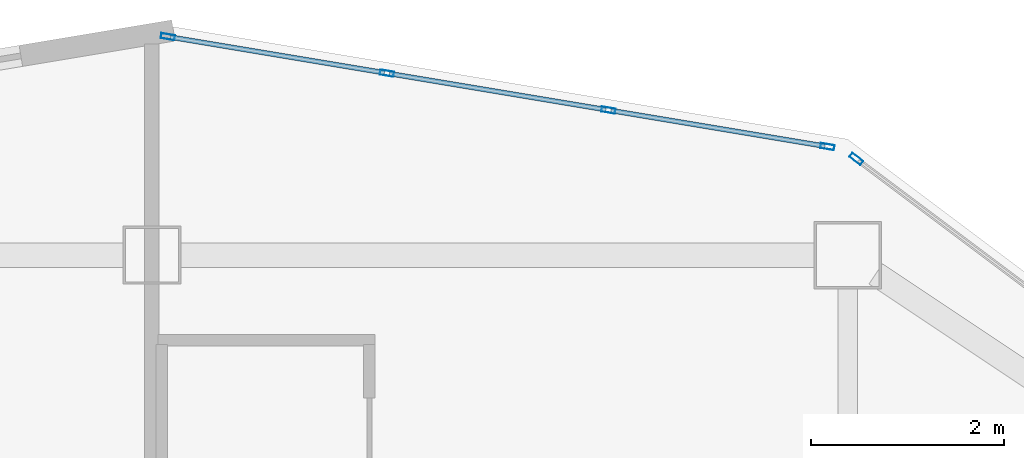
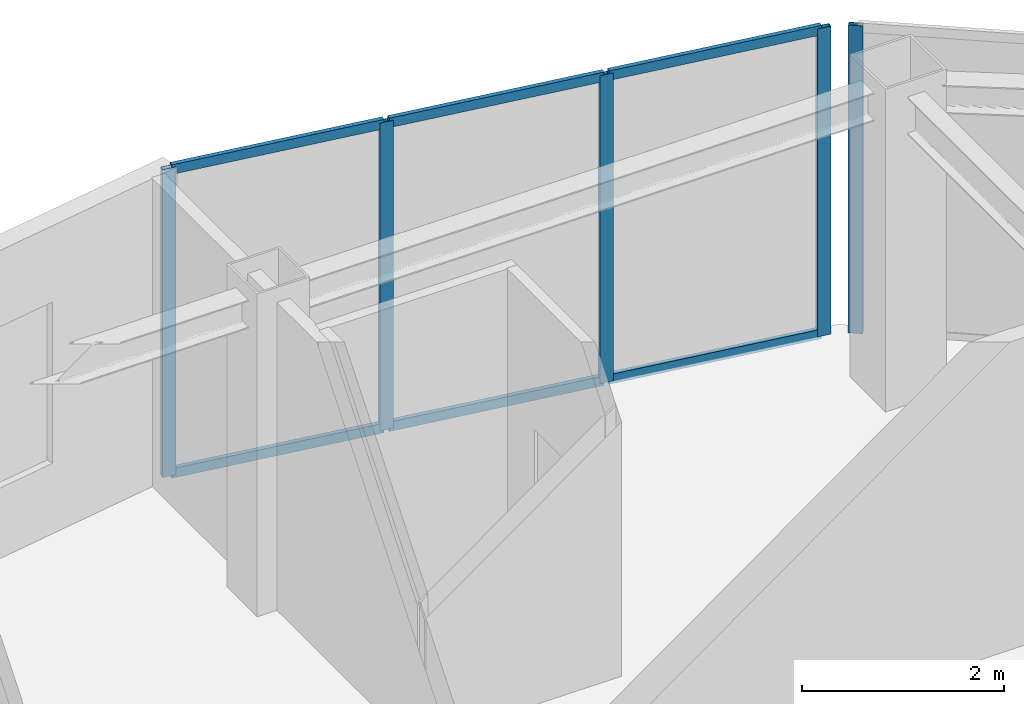
# One storey, part 3 of 8: 11 members, 2 elements without a shape of their own.
"""IFC4 building model written with IfcOpenShell, lengths in metres."""

from ifc_helpers import new_model, si_unit, direction, frame, origin, origin_2d, place, context, subcontext, project, spatial, hollow_rectangle, extrude, material, layer, layer_set, material_profile, profile_set, type_object, element, aggregate, save


model = new_model("IFC4")

# Units and contexts
model_context = context("Model", 3, precision=1e-05, world=origin(), true_north=direction((0.0, 1.0)))
body_context = subcontext(model_context, "Body", "Model", "MODEL_VIEW")
ifc_project = project(units=[si_unit("LENGTHUNIT", "METRE"), si_unit("AREAUNIT", "SQUARE_METRE"), si_unit("VOLUMEUNIT", "CUBIC_METRE"), si_unit("PLANEANGLEUNIT", "RADIAN"), si_unit("MASSUNIT", "GRAM", prefix="KILO")], contexts=[model_context])

# Site, building, storey
site_placement = place(None, origin())
site = spatial("IfcSite", under=ifc_project, at=site_placement, CompositionType="ELEMENT")
building_placement = place(site_placement, origin())
building = spatial("IfcBuilding", under=site, at=building_placement, Name="Haolan Belvedere Tower", CompositionType="ELEMENT")
storey_placement = place(building_placement, frame((0.0, 0.0, 297.800048828125)))
storey = spatial("IfcBuildingStorey", under=building, at=storey_placement, Name="L75", CompositionType="ELEMENT", Elevation=297.800048828125)

# Curtain wall, member
ifc_material_1 = material(Name="Anodised champagne-silver aluminium 6063-T6 and Low-E glass", Category="aluminium")
ifc_layer = layer(ifc_material_1, 0.14501953125, Name="Anodised champagne-silver aluminium 6063-T6 and Low-E glass")
ifc_layer_set = layer_set([ifc_layer], Name="Anodised champagne-silver aluminium 6063-T6 and Low-E glass")
curtain_wall_type = type_object("IfcCurtainWallType", Name="CW-SYS-05", PredefinedType="NOTDEFINED", material=ifc_layer_set)
curtain_wall_1_placement = place(storey_placement, origin())
curtain_wall_1 = element("IfcCurtainWall", 1, at=curtain_wall_1_placement, inside=storey, type_object=curtain_wall_type, Name="L75 CW-SYS-05 ribbon curtain wall 8.1", PredefinedType="NOTDEFINED")
ifc_material_2 = material(Name="Anodised aluminium 6063-T6", Category="aluminium")
ifc_material_profile_1 = material_profile(ifc_material_2, hollow_rectangle(XDim=0.053955078125, YDim=0.14501953125, WallThickness=0.00390625, at=origin_2d()), Name="Anodised aluminium 6063-T6")
ifc_profile_set_1 = profile_set([ifc_material_profile_1], Name="Anodised aluminium 6063-T6")
member_type_1 = type_object("IfcMemberType", Name="CW-SYS-05-MUL", PredefinedType="MULLION", material=ifc_profile_set_1)
member_1_placement = place(storey_placement, frame((45.689208984375, 51.395751953125, 0.0), z_axis=(0.0, 0.0, 1.0), x_axis=(-0.600002837806, -0.799997871638, 0.0)))
member_1 = element("IfcMember", 2, at=member_1_placement, type_object=member_type_1, Name="CW-05 mullion 3", PredefinedType="MULLION", context=body_context, shape_type="SweptSolid", body=[
    extrude(hollow_rectangle(XDim=0.053955078125, YDim=0.14501953125, WallThickness=0.00390625, at=origin_2d()), origin(), (0.0, 0.0, 1.0), 3.719970703125),
])
aggregate(curtain_wall_1, [member_1])

# Curtain wall, members
curtain_wall_2_placement = place(storey_placement, origin())
curtain_wall_2 = element("IfcCurtainWall", 3, at=curtain_wall_2_placement, inside=storey, type_object=curtain_wall_type, Name="L75 CW-SYS-05 ribbon curtain wall 9.1", PredefinedType="NOTDEFINED")
member_2_placement = place(storey_placement, frame((45.390869140625, 51.5234375, 0.0), z_axis=(0.0, 0.0, 1.0), x_axis=(-0.164405962825, -0.98639276122, 0.0)))
member_2 = element("IfcMember", 4, at=member_2_placement, type_object=member_type_1, Name="CW-05 mullion 1", PredefinedType="MULLION", context=body_context, shape_type="SweptSolid", body=[
    extrude(hollow_rectangle(XDim=0.053955078125, YDim=0.14501953125, WallThickness=0.00390625, at=origin_2d()), origin(), (0.0, 0.0, 1.0), 3.719970703125),
])
member_3_placement = place(storey_placement, frame((43.124267578125, 51.901123046875, 0.0), z_axis=(0.0, 0.0, 1.0), x_axis=(-0.164405962825, -0.98639276122, 0.0)))
member_3 = element("IfcMember", 5, at=member_3_placement, type_object=member_type_1, Name="CW-05 mullion 2", PredefinedType="MULLION", context=body_context, shape_type="SweptSolid", body=[
    extrude(hollow_rectangle(XDim=0.053955078125, YDim=0.14501953125, WallThickness=0.00390625, at=origin_2d()), origin(), (0.0, 0.0, 1.0), 3.719970703125),
])
member_4_placement = place(storey_placement, frame((40.831298828125, 52.283203125, 0.0), z_axis=(0.0, 0.0, 1.0), x_axis=(-0.164405962825, -0.98639276122, 0.0)))
member_4 = element("IfcMember", 6, at=member_4_placement, type_object=member_type_1, Name="CW-05 mullion 3", PredefinedType="MULLION", context=body_context, shape_type="SweptSolid", body=[
    extrude(hollow_rectangle(XDim=0.053955078125, YDim=0.14501953125, WallThickness=0.00390625, at=origin_2d()), origin(), (0.0, 0.0, 1.0), 3.719970703125),
])
member_5_placement = place(storey_placement, frame((38.564697265625, 52.6611328125, 0.0), z_axis=(0.0, 0.0, 1.0), x_axis=(-0.164405962825, -0.98639276122, 0.0)))
member_5 = element("IfcMember", 7, at=member_5_placement, type_object=member_type_1, Name="CW-05 mullion 4", PredefinedType="MULLION", context=body_context, shape_type="SweptSolid", body=[
    extrude(hollow_rectangle(XDim=0.053955078125, YDim=0.14501953125, WallThickness=0.00390625, at=origin_2d()), origin(), (0.0, 0.0, 1.0), 3.719970703125),
])
ifc_material_profile_2 = material_profile(ifc_material_2, hollow_rectangle(XDim=0.050048828125, YDim=0.114990234375, WallThickness=0.00390625, at=origin_2d()), Name="Anodised aluminium 6063-T6")
ifc_profile_set_2 = profile_set([ifc_material_profile_2], Name="Anodised aluminium 6063-T6")
member_type_2 = type_object("IfcMemberType", Name="CW-SYS-05-TRN", PredefinedType="USERDEFINED", material=ifc_profile_set_2)
member_6_placement = place(storey_placement, frame((45.364013671875, 51.52783203125, 0.02490234375), z_axis=(-0.986390982779, 0.164416632651, 0.0), x_axis=(-0.164416632651, -0.986390982779, 0.0)))
member_6 = element("IfcMember", 8, at=member_6_placement, type_object=member_type_2, Name="CW-05 transom 1.1", ObjectType="TRANSOM", PredefinedType="USERDEFINED", context=body_context, shape_type="SweptSolid", body=[
    extrude(hollow_rectangle(XDim=0.050048828125, YDim=0.114990234375, WallThickness=0.00390625, at=origin_2d()), origin(), (0.0, 0.0, 1.0), 2.24365234375),
])
member_7_placement = place(storey_placement, frame((45.364013671875, 51.52783203125, 3.695068359375), z_axis=(-0.986390982779, 0.164416632651, 0.0), x_axis=(-0.164416632651, -0.986390982779, 0.0)))
member_7 = element("IfcMember", 9, at=member_7_placement, type_object=member_type_2, Name="CW-05 transom 1.2", ObjectType="TRANSOM", PredefinedType="USERDEFINED", context=body_context, shape_type="SweptSolid", body=[
    extrude(hollow_rectangle(XDim=0.050048828125, YDim=0.114990234375, WallThickness=0.00390625, at=origin_2d()), origin(), (0.0, 0.0, 1.0), 2.24365234375),
])
member_8_placement = place(storey_placement, frame((43.09765625, 51.905517578125, 0.02490234375), z_axis=(-0.986393923832, 0.164398987305, 0.0), x_axis=(-0.164398987305, -0.986393923832, 0.0)))
member_8 = element("IfcMember", 10, at=member_8_placement, type_object=member_type_2, Name="CW-05 transom 2.1", ObjectType="TRANSOM", PredefinedType="USERDEFINED", context=body_context, shape_type="SweptSolid", body=[
    extrude(hollow_rectangle(XDim=0.050048828125, YDim=0.114990234375, WallThickness=0.00390625, at=origin_2d()), origin(), (0.0, 0.0, 1.0), 2.270751953125),
])
member_9_placement = place(storey_placement, frame((43.09765625, 51.905517578125, 3.695068359375), z_axis=(-0.986393923832, 0.164398987305, 0.0), x_axis=(-0.164398987305, -0.986393923832, 0.0)))
member_9 = element("IfcMember", 11, at=member_9_placement, type_object=member_type_2, Name="CW-05 transom 2.2", ObjectType="TRANSOM", PredefinedType="USERDEFINED", context=body_context, shape_type="SweptSolid", body=[
    extrude(hollow_rectangle(XDim=0.050048828125, YDim=0.114990234375, WallThickness=0.00390625, at=origin_2d()), origin(), (0.0, 0.0, 1.0), 2.270751953125),
])
member_10_placement = place(storey_placement, frame((40.8046875, 52.287841796875, 0.02490234375), z_axis=(-0.986393923832, 0.164398987305, 0.0), x_axis=(-0.164398987305, -0.986393923832, 0.0)))
member_10 = element("IfcMember", 12, at=member_10_placement, type_object=member_type_2, Name="CW-05 transom 3.1", ObjectType="TRANSOM", PredefinedType="USERDEFINED", context=body_context, shape_type="SweptSolid", body=[
    extrude(hollow_rectangle(XDim=0.050048828125, YDim=0.114990234375, WallThickness=0.00390625, at=origin_2d()), origin(), (0.0, 0.0, 1.0), 2.243896484375),
])
member_11_placement = place(storey_placement, frame((40.8046875, 52.287841796875, 3.695068359375), z_axis=(-0.986393923832, 0.164398987305, 0.0), x_axis=(-0.164398987305, -0.986393923832, 0.0)))
member_11 = element("IfcMember", 13, at=member_11_placement, type_object=member_type_2, Name="CW-05 transom 3.2", ObjectType="TRANSOM", PredefinedType="USERDEFINED", context=body_context, shape_type="SweptSolid", body=[
    extrude(hollow_rectangle(XDim=0.050048828125, YDim=0.114990234375, WallThickness=0.00390625, at=origin_2d()), origin(), (0.0, 0.0, 1.0), 2.243896484375),
])
aggregate(curtain_wall_2, [member_2, member_3, member_4, member_5, member_6, member_7, member_8, member_9, member_10, member_11])

save(model, "model.ifc")
